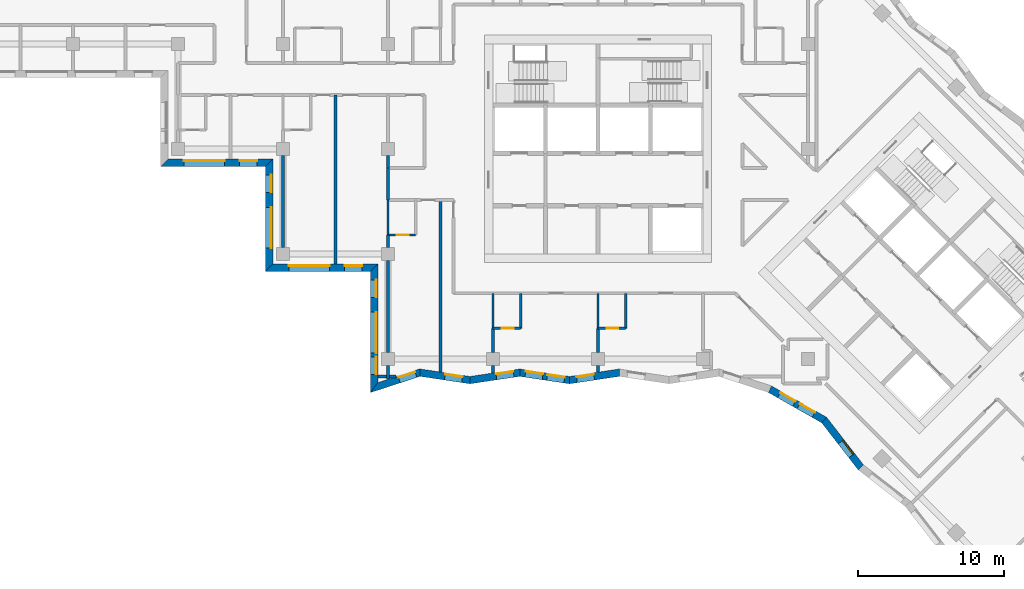
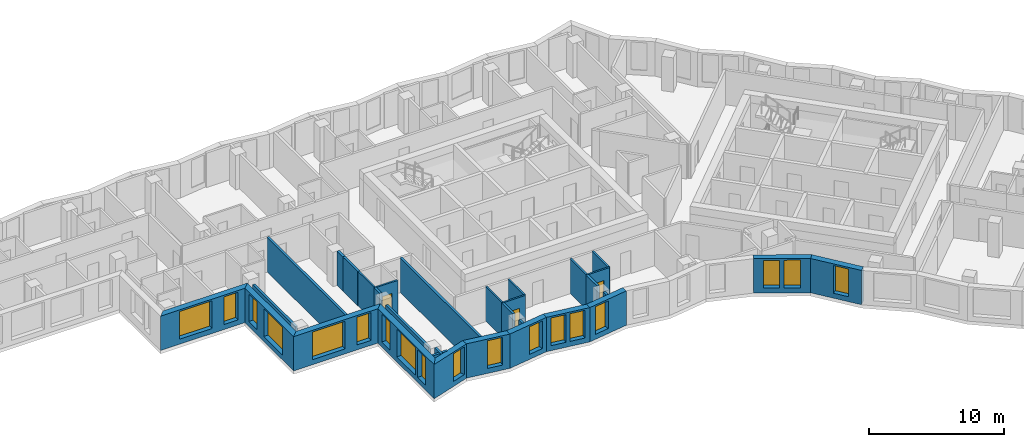
# One storey, part 2 of 12: 32 walls, 18 windows, 3 doors, 21 openings.
"""IFC4 building model written with IfcOpenShell, lengths in metres."""

from ifc_helpers import new_model, si_unit, direction, frame, frame_2d, origin, place, context, subcontext, project, spatial, polyline, rectangle, outline, extrude, material, layer, layer_set, type_object, element, fill, save


model = new_model("IFC4")

# Units and contexts
model_context = context("Model", 3, precision=1e-05, world=origin(), true_north=direction((0.0, 1.0)))
body_context = subcontext(model_context, "Body", "Model", "MODEL_VIEW")
ifc_project = project(units=[si_unit("LENGTHUNIT", "METRE"), si_unit("AREAUNIT", "SQUARE_METRE"), si_unit("VOLUMEUNIT", "CUBIC_METRE"), si_unit("PLANEANGLEUNIT", "RADIAN"), si_unit("MASSUNIT", "GRAM", prefix="KILO")], contexts=[model_context])

# Site, building, storey
site_placement = place(None, origin())
site = spatial("IfcSite", under=ifc_project, at=site_placement, CompositionType="ELEMENT")
building_placement = place(site_placement, origin())
building = spatial("IfcBuilding", under=site, at=building_placement, Name="Windrow Commons", CompositionType="ELEMENT")
storey_placement = place(building_placement, frame((0.0, 0.0, 159.2)))
storey = spatial("IfcBuildingStorey", under=building, at=storey_placement, Name="L43", CompositionType="ELEMENT", Elevation=159.2)

# Wall, openings, windows
ifc_material_1 = material(Name="Brick masonry, red clay brick", Category="masonry")
ifc_layer_1 = layer(ifc_material_1, 0.5)
ifc_layer_set_1 = layer_set([ifc_layer_1], Name="Brick facade wall 500")
wall_type_1 = type_object("IfcWallType", Name="Brick facade wall 500", PredefinedType="SOLIDWALL", material=ifc_layer_set_1)
wall_1_placement = place(storey_placement, frame((35.05, 56.65, 0.0), z_axis=(0.0, 0.0, 1.0), x_axis=(1.0, 0.0, 0.0)))
wall_1 = element("IfcWall", 1, at=wall_1_placement, inside=storey, type_object=wall_type_1, Name="Brick facade wall L43 38", PredefinedType="SOLIDWALL", context=body_context, shape_type="SweptSolid", body=[
    extrude(outline(polyline([(-0.25, -0.25), (6.95, -0.25), (7.45, 0.25), (0.25, 0.25), (-0.25, -0.25)])), origin(), (0.0, 0.0, 1.0), 3.1),
])
opening_1_placement = place(wall_1_placement, frame((1.35, 0.0, 0.45)))
opening_1 = element("IfcOpeningElement", 2, at=opening_1_placement, cuts=wall_1, Name="Opening W1U", PredefinedType="OPENING", context=body_context, shape_type="SweptSolid", body=[
    extrude(rectangle(XDim=2.8, YDim=2.5, at=frame_2d((1.4, 1.25))), frame((0.0, 0.26, 0.0), z_axis=(0.0, -1.0, 0.0), x_axis=(1.0, 0.0, 0.0)), (0.0, 0.0, 1.0), 0.52),
])
opening_2_placement = place(wall_1_placement, frame((5.175, 0.0, 0.45)))
opening_2 = element("IfcOpeningElement", 3, at=opening_2_placement, cuts=wall_1, Name="Opening W7E", PredefinedType="OPENING", context=body_context, shape_type="SweptSolid", body=[
    extrude(rectangle(XDim=1.2, YDim=2.5, at=frame_2d((0.6, 1.25))), frame((0.0, 0.26, 0.0), z_axis=(0.0, -1.0, 0.0), x_axis=(1.0, 0.0, 0.0)), (0.0, 0.0, 1.0), 0.52),
])
ifc_material_2 = material(Name="Clear float glass in anodised aluminium frame", Category="aluminium")
window_type_1 = type_object("IfcWindowType", Name="Window W1U bedroom 2800x2500", PartitioningType="SINGLE_PANEL", PredefinedType="WINDOW", material=ifc_material_2)
window_1_placement = place(opening_1_placement, origin())
window_1 = element("IfcWindow", 4, at=window_1_placement, inside=storey, type_object=window_type_1, Name="Window L43 38.1", OverallHeight=2.5, OverallWidth=2.8, PartitioningType="SINGLE_PANEL", PredefinedType="WINDOW", context=body_context, shape_type="SweptSolid", body=[
    extrude(rectangle(XDim=2.8, YDim=2.5, at=frame_2d((1.4, 1.25))), frame((0.0, 0.18, 0.0), z_axis=(0.0, -1.0, 0.0), x_axis=(1.0, 0.0, 0.0)), (0.0, 0.0, 1.0), 0.06),
])
fill(opening_1, window_1)
ifc_material_3 = material(Name="Clear float glass in anodised aluminium frame", Category="aluminium")
window_type_2 = type_object("IfcWindowType", Name="Window W7 notch 1200x2500", PartitioningType="SINGLE_PANEL", PredefinedType="WINDOW", material=ifc_material_3)
window_2_placement = place(opening_2_placement, origin())
window_2 = element("IfcWindow", 5, at=window_2_placement, inside=storey, type_object=window_type_2, Name="Window L43 38.2", OverallHeight=2.5, OverallWidth=1.2, PartitioningType="SINGLE_PANEL", PredefinedType="WINDOW", context=body_context, shape_type="SweptSolid", body=[
    extrude(rectangle(XDim=1.2, YDim=2.5, at=frame_2d((0.6, 1.25))), frame((0.0, 0.18, 0.0), z_axis=(0.0, -1.0, 0.0), x_axis=(1.0, 0.0, 0.0)), (0.0, 0.0, 1.0), 0.06),
])
fill(opening_2, window_2)

wall_2_placement = place(storey_placement, frame((42.25, 56.65, 0.0), z_axis=(0.0, 0.0, 1.0), x_axis=(0.0, -1.0, 0.0)))
wall_2 = element("IfcWall", 6, at=wall_2_placement, inside=storey, type_object=wall_type_1, Name="Brick facade wall L43 39", PredefinedType="SOLIDWALL", context=body_context, shape_type="SweptSolid", body=[
    extrude(outline(polyline([(0.25, -0.25), (7.45, -0.25), (6.95, 0.25), (-0.25, 0.25), (0.25, -0.25)])), origin(), (0.0, 0.0, 1.0), 3.1),
])
opening_3_placement = place(wall_2_placement, frame((3.05, 0.0, 0.45)))
opening_3 = element("IfcOpeningElement", 7, at=opening_3_placement, cuts=wall_2, Name="Opening W1U", PredefinedType="OPENING", context=body_context, shape_type="SweptSolid", body=[
    extrude(rectangle(XDim=2.8, YDim=2.5, at=frame_2d((1.4, 1.25))), frame((0.0, 0.26, 0.0), z_axis=(0.0, -1.0, 0.0), x_axis=(1.0, 0.0, 0.0)), (0.0, 0.0, 1.0), 0.52),
])
opening_4_placement = place(wall_2_placement, frame((0.825, 0.0, 0.45)))
opening_4 = element("IfcOpeningElement", 8, at=opening_4_placement, cuts=wall_2, Name="Opening W7E", PredefinedType="OPENING", context=body_context, shape_type="SweptSolid", body=[
    extrude(rectangle(XDim=1.2, YDim=2.5, at=frame_2d((0.6, 1.25))), frame((0.0, 0.26, 0.0), z_axis=(0.0, -1.0, 0.0), x_axis=(1.0, 0.0, 0.0)), (0.0, 0.0, 1.0), 0.52),
])
window_3_placement = place(opening_3_placement, origin())
window_3 = element("IfcWindow", 9, at=window_3_placement, inside=storey, type_object=window_type_1, Name="Window L43 39.1", OverallHeight=2.5, OverallWidth=2.8, PartitioningType="SINGLE_PANEL", PredefinedType="WINDOW", context=body_context, shape_type="SweptSolid", body=[
    extrude(rectangle(XDim=2.8, YDim=2.5, at=frame_2d((1.4, 1.25))), frame((0.0, 0.18, 0.0), z_axis=(0.0, -1.0, 0.0), x_axis=(1.0, 0.0, 0.0)), (0.0, 0.0, 1.0), 0.06),
])
fill(opening_3, window_3)
window_4_placement = place(opening_4_placement, origin())
window_4 = element("IfcWindow", 10, at=window_4_placement, inside=storey, type_object=window_type_2, Name="Window L43 39.2", OverallHeight=2.5, OverallWidth=1.2, PartitioningType="SINGLE_PANEL", PredefinedType="WINDOW", context=body_context, shape_type="SweptSolid", body=[
    extrude(rectangle(XDim=1.2, YDim=2.5, at=frame_2d((0.6, 1.25))), frame((0.0, 0.18, 0.0), z_axis=(0.0, -1.0, 0.0), x_axis=(1.0, 0.0, 0.0)), (0.0, 0.0, 1.0), 0.06),
])
fill(opening_4, window_4)

wall_3_placement = place(storey_placement, frame((42.25, 49.45, 0.0), z_axis=(0.0, 0.0, 1.0), x_axis=(1.0, 0.0, 0.0)))
wall_3 = element("IfcWall", 11, at=wall_3_placement, inside=storey, type_object=wall_type_1, Name="Brick facade wall L43 40", PredefinedType="SOLIDWALL", context=body_context, shape_type="SweptSolid", body=[
    extrude(outline(polyline([(-0.25, -0.25), (6.95, -0.25), (7.45, 0.25), (0.25, 0.25), (-0.25, -0.25)])), origin(), (0.0, 0.0, 1.0), 3.1),
])
opening_5_placement = place(wall_3_placement, frame((1.35, 0.0, 0.45)))
opening_5 = element("IfcOpeningElement", 12, at=opening_5_placement, cuts=wall_3, Name="Opening W1U", PredefinedType="OPENING", context=body_context, shape_type="SweptSolid", body=[
    extrude(rectangle(XDim=2.8, YDim=2.5, at=frame_2d((1.4, 1.25))), frame((0.0, 0.26, 0.0), z_axis=(0.0, -1.0, 0.0), x_axis=(1.0, 0.0, 0.0)), (0.0, 0.0, 1.0), 0.52),
])
opening_6_placement = place(wall_3_placement, frame((5.175, 0.0, 0.45)))
opening_6 = element("IfcOpeningElement", 13, at=opening_6_placement, cuts=wall_3, Name="Opening W7E", PredefinedType="OPENING", context=body_context, shape_type="SweptSolid", body=[
    extrude(rectangle(XDim=1.2, YDim=2.5, at=frame_2d((0.6, 1.25))), frame((0.0, 0.26, 0.0), z_axis=(0.0, -1.0, 0.0), x_axis=(1.0, 0.0, 0.0)), (0.0, 0.0, 1.0), 0.52),
])
window_5_placement = place(opening_5_placement, origin())
window_5 = element("IfcWindow", 14, at=window_5_placement, inside=storey, type_object=window_type_1, Name="Window L43 40.1", OverallHeight=2.5, OverallWidth=2.8, PartitioningType="SINGLE_PANEL", PredefinedType="WINDOW", context=body_context, shape_type="SweptSolid", body=[
    extrude(rectangle(XDim=2.8, YDim=2.5, at=frame_2d((1.4, 1.25))), frame((0.0, 0.18, 0.0), z_axis=(0.0, -1.0, 0.0), x_axis=(1.0, 0.0, 0.0)), (0.0, 0.0, 1.0), 0.06),
])
fill(opening_5, window_5)
window_6_placement = place(opening_6_placement, origin())
window_6 = element("IfcWindow", 15, at=window_6_placement, inside=storey, type_object=window_type_2, Name="Window L43 40.2", OverallHeight=2.5, OverallWidth=1.2, PartitioningType="SINGLE_PANEL", PredefinedType="WINDOW", context=body_context, shape_type="SweptSolid", body=[
    extrude(rectangle(XDim=1.2, YDim=2.5, at=frame_2d((0.6, 1.25))), frame((0.0, 0.18, 0.0), z_axis=(0.0, -1.0, 0.0), x_axis=(1.0, 0.0, 0.0)), (0.0, 0.0, 1.0), 0.06),
])
fill(opening_6, window_6)

wall_4_placement = place(storey_placement, frame((49.45, 49.45, 0.0), z_axis=(0.0, 0.0, 1.0), x_axis=(0.0, -1.0, 0.0)))
wall_4 = element("IfcWall", 16, at=wall_4_placement, inside=storey, type_object=wall_type_1, Name="Brick facade wall L43 41", PredefinedType="SOLIDWALL", context=body_context, shape_type="SweptSolid", body=[
    extrude(outline(polyline([(0.25, -0.25), (8.562, -0.25), (7.8732, 0.25), (-0.25, 0.25), (0.25, -0.25)])), origin(), (0.0, 0.0, 1.0), 3.1),
])
opening_7_placement = place(wall_4_placement, frame((3.05, 0.0, 0.45)))
opening_7 = element("IfcOpeningElement", 17, at=opening_7_placement, cuts=wall_4, Name="Opening W1U", PredefinedType="OPENING", context=body_context, shape_type="SweptSolid", body=[
    extrude(rectangle(XDim=2.8, YDim=2.5, at=frame_2d((1.4, 1.25))), frame((0.0, 0.26, 0.0), z_axis=(0.0, -1.0, 0.0), x_axis=(1.0, 0.0, 0.0)), (0.0, 0.0, 1.0), 0.52),
])
opening_8_placement = place(wall_4_placement, frame((0.825, 0.0, 0.45)))
opening_8 = element("IfcOpeningElement", 18, at=opening_8_placement, cuts=wall_4, Name="Opening W7E", PredefinedType="OPENING", context=body_context, shape_type="SweptSolid", body=[
    extrude(rectangle(XDim=1.2, YDim=2.5, at=frame_2d((0.6, 1.25))), frame((0.0, 0.26, 0.0), z_axis=(0.0, -1.0, 0.0), x_axis=(1.0, 0.0, 0.0)), (0.0, 0.0, 1.0), 0.52),
])
opening_9_placement = place(wall_4_placement, frame((6.1116, 0.0, 0.45)))
opening_9 = element("IfcOpeningElement", 19, at=opening_9_placement, cuts=wall_4, Name="Opening W7E", PredefinedType="OPENING", context=body_context, shape_type="SweptSolid", body=[
    extrude(rectangle(XDim=1.2, YDim=2.5, at=frame_2d((0.6, 1.25))), frame((0.0, 0.26, 0.0), z_axis=(0.0, -1.0, 0.0), x_axis=(1.0, 0.0, 0.0)), (0.0, 0.0, 1.0), 0.52),
])
window_7_placement = place(opening_7_placement, origin())
window_7 = element("IfcWindow", 20, at=window_7_placement, inside=storey, type_object=window_type_1, Name="Window L43 41.1", OverallHeight=2.5, OverallWidth=2.8, PartitioningType="SINGLE_PANEL", PredefinedType="WINDOW", context=body_context, shape_type="SweptSolid", body=[
    extrude(rectangle(XDim=2.8, YDim=2.5, at=frame_2d((1.4, 1.25))), frame((0.0, 0.18, 0.0), z_axis=(0.0, -1.0, 0.0), x_axis=(1.0, 0.0, 0.0)), (0.0, 0.0, 1.0), 0.06),
])
fill(opening_7, window_7)
window_8_placement = place(opening_8_placement, origin())
window_8 = element("IfcWindow", 21, at=window_8_placement, inside=storey, type_object=window_type_2, Name="Window L43 41.2", OverallHeight=2.5, OverallWidth=1.2, PartitioningType="SINGLE_PANEL", PredefinedType="WINDOW", context=body_context, shape_type="SweptSolid", body=[
    extrude(rectangle(XDim=1.2, YDim=2.5, at=frame_2d((0.6, 1.25))), frame((0.0, 0.18, 0.0), z_axis=(0.0, -1.0, 0.0), x_axis=(1.0, 0.0, 0.0)), (0.0, 0.0, 1.0), 0.06),
])
fill(opening_8, window_8)
window_9_placement = place(opening_9_placement, origin())
window_9 = element("IfcWindow", 22, at=window_9_placement, inside=storey, type_object=window_type_2, Name="Window L43 41.3", OverallHeight=2.5, OverallWidth=1.2, PartitioningType="SINGLE_PANEL", PredefinedType="WINDOW", context=body_context, shape_type="SweptSolid", body=[
    extrude(rectangle(XDim=1.2, YDim=2.5, at=frame_2d((0.6, 1.25))), frame((0.0, 0.18, 0.0), z_axis=(0.0, -1.0, 0.0), x_axis=(1.0, 0.0, 0.0)), (0.0, 0.0, 1.0), 0.06),
])
fill(opening_9, window_9)

# Wall, opening, window
wall_5_placement = place(storey_placement, frame((49.45, 41.2324, 0.0), z_axis=(0.0, 0.0, 1.0), x_axis=(0.9507752204, 0.3098813971, 0.0)))
wall_5 = element("IfcWall", 23, at=wall_5_placement, inside=storey, type_object=wall_type_1, Name="Brick facade wall L43 42", PredefinedType="SOLIDWALL", context=body_context, shape_type="SweptSolid", body=[
    extrude(outline(polyline([(-0.3444, -0.25), (3.2441, -0.25), (3.3623, 0.25), (0.3444, 0.25), (-0.3444, -0.25)])), origin(), (0.0, 0.0, 1.0), 3.1),
])
opening_10_placement = place(wall_5_placement, frame((1.8012, 0.0, 0.45)))
opening_10 = element("IfcOpeningElement", 24, at=opening_10_placement, cuts=wall_5, Name="Opening W7E", PredefinedType="OPENING", context=body_context, shape_type="SweptSolid", body=[
    extrude(rectangle(XDim=1.2, YDim=2.5, at=frame_2d((0.6, 1.25))), frame((0.0, 0.26, 0.0), z_axis=(0.0, -1.0, 0.0), x_axis=(1.0, 0.0, 0.0)), (0.0, 0.0, 1.0), 0.52),
])
window_10_placement = place(opening_10_placement, origin())
window_10 = element("IfcWindow", 25, at=window_10_placement, inside=storey, type_object=window_type_2, Name="Window L43 42.1", OverallHeight=2.5, OverallWidth=1.2, PartitioningType="SINGLE_PANEL", PredefinedType="WINDOW", context=body_context, shape_type="SweptSolid", body=[
    extrude(rectangle(XDim=1.2, YDim=2.5, at=frame_2d((0.6, 1.25))), frame((0.0, 0.18, 0.0), z_axis=(0.0, -1.0, 0.0), x_axis=(1.0, 0.0, 0.0)), (0.0, 0.0, 1.0), 0.06),
])
fill(opening_10, window_10)

wall_6_placement = place(storey_placement, frame((52.5906, 42.256, 0.0), z_axis=(0.0, 0.0, 1.0), x_axis=(0.9889270545, -0.1484024288, 0.0)))
wall_6 = element("IfcWall", 26, at=wall_6_placement, inside=storey, type_object=wall_type_1, Name="Brick facade wall L43 43", PredefinedType="SOLIDWALL", context=body_context, shape_type="SweptSolid", body=[
    extrude(outline(polyline([(0.0591, -0.25), (3.5092, -0.25), (3.4341, 0.25), (-0.0591, 0.25), (0.0591, -0.25)])), origin(), (0.0, 0.0, 1.0), 3.1),
])
opening_11_placement = place(wall_6_placement, frame((1.7297, 0.0, 0.45)))
opening_11 = element("IfcOpeningElement", 27, at=opening_11_placement, cuts=wall_6, Name="Opening W7E", PredefinedType="OPENING", context=body_context, shape_type="SweptSolid", body=[
    extrude(rectangle(XDim=1.2, YDim=2.5, at=frame_2d((0.6, 1.25))), frame((0.0, 0.26, 0.0), z_axis=(0.0, -1.0, 0.0), x_axis=(1.0, 0.0, 0.0)), (0.0, 0.0, 1.0), 0.52),
])
window_11_placement = place(opening_11_placement, origin())
window_11 = element("IfcWindow", 28, at=window_11_placement, inside=storey, type_object=window_type_2, Name="Window L43 43.1", OverallHeight=2.5, OverallWidth=1.2, PartitioningType="SINGLE_PANEL", PredefinedType="WINDOW", context=body_context, shape_type="SweptSolid", body=[
    extrude(rectangle(XDim=1.2, YDim=2.5, at=frame_2d((0.6, 1.25))), frame((0.0, 0.18, 0.0), z_axis=(0.0, -1.0, 0.0), x_axis=(1.0, 0.0, 0.0)), (0.0, 0.0, 1.0), 0.06),
])
fill(opening_11, window_11)

wall_7_placement = place(storey_placement, frame((56.0238, 41.7408, 0.0), z_axis=(0.0, 0.0, 1.0), x_axis=(0.9889272091, 0.1484013984, 0.0)))
wall_7 = element("IfcWall", 29, at=wall_7_placement, inside=storey, type_object=wall_type_1, Name="Brick facade wall L43 44", PredefinedType="SOLIDWALL", context=body_context, shape_type="SweptSolid", body=[
    extrude(outline(polyline([(-0.0375, -0.25), (3.4126, -0.25), (3.4876, 0.25), (0.0375, 0.25), (-0.0375, -0.25)])), origin(), (0.0, 0.0, 1.0), 3.1),
])
opening_12_placement = place(wall_7_placement, frame((1.822, 0.0, 0.45)))
opening_12 = element("IfcOpeningElement", 30, at=opening_12_placement, cuts=wall_7, Name="Opening W7E", PredefinedType="OPENING", context=body_context, shape_type="SweptSolid", body=[
    extrude(rectangle(XDim=1.2, YDim=2.5, at=frame_2d((0.6, 1.25))), frame((0.0, 0.26, 0.0), z_axis=(0.0, -1.0, 0.0), x_axis=(1.0, 0.0, 0.0)), (0.0, 0.0, 1.0), 0.52),
])
window_12_placement = place(opening_12_placement, origin())
window_12 = element("IfcWindow", 31, at=window_12_placement, inside=storey, type_object=window_type_2, Name="Window L43 44.1", OverallHeight=2.5, OverallWidth=1.2, PartitioningType="SINGLE_PANEL", PredefinedType="WINDOW", context=body_context, shape_type="SweptSolid", body=[
    extrude(rectangle(XDim=1.2, YDim=2.5, at=frame_2d((0.6, 1.25))), frame((0.0, 0.18, 0.0), z_axis=(0.0, -1.0, 0.0), x_axis=(1.0, 0.0, 0.0)), (0.0, 0.0, 1.0), 0.06),
])
fill(opening_12, window_12)

# Wall, openings, windows
wall_8_placement = place(storey_placement, frame((59.4357, 42.2528, 0.0), z_axis=(0.0, 0.0, 1.0), x_axis=(0.9889272091, -0.1484013984, 0.0)))
wall_8 = element("IfcWall", 32, at=wall_8_placement, inside=storey, type_object=wall_type_1, Name="Brick facade wall L43 45", PredefinedType="SOLIDWALL", context=body_context, shape_type="SweptSolid", body=[
    extrude(outline(polyline([(0.0375, -0.25), (3.4876, -0.25), (3.4126, 0.25), (-0.0375, 0.25), (0.0375, -0.25)])), origin(), (0.0, 0.0, 1.0), 3.1),
])
opening_13_placement = place(wall_8_placement, frame((0.392, 0.0, 0.45)))
opening_13 = element("IfcOpeningElement", 33, at=opening_13_placement, cuts=wall_8, Name="Opening W7E", PredefinedType="OPENING", context=body_context, shape_type="SweptSolid", body=[
    extrude(rectangle(XDim=1.2, YDim=2.5, at=frame_2d((0.6, 1.25))), frame((0.0, 0.26, 0.0), z_axis=(0.0, -1.0, 0.0), x_axis=(1.0, 0.0, 0.0)), (0.0, 0.0, 1.0), 0.52),
])
opening_14_placement = place(wall_8_placement, frame((1.8983, 0.0, 0.45)))
opening_14 = element("IfcOpeningElement", 34, at=opening_14_placement, cuts=wall_8, Name="Opening W7E", PredefinedType="OPENING", context=body_context, shape_type="SweptSolid", body=[
    extrude(rectangle(XDim=1.2, YDim=2.5, at=frame_2d((0.6, 1.25))), frame((0.0, 0.26, 0.0), z_axis=(0.0, -1.0, 0.0), x_axis=(1.0, 0.0, 0.0)), (0.0, 0.0, 1.0), 0.52),
])
window_13_placement = place(opening_13_placement, origin())
window_13 = element("IfcWindow", 35, at=window_13_placement, inside=storey, type_object=window_type_2, Name="Window L43 45.1", OverallHeight=2.5, OverallWidth=1.2, PartitioningType="SINGLE_PANEL", PredefinedType="WINDOW", context=body_context, shape_type="SweptSolid", body=[
    extrude(rectangle(XDim=1.2, YDim=2.5, at=frame_2d((0.6, 1.25))), frame((0.0, 0.18, 0.0), z_axis=(0.0, -1.0, 0.0), x_axis=(1.0, 0.0, 0.0)), (0.0, 0.0, 1.0), 0.06),
])
fill(opening_13, window_13)
window_14_placement = place(opening_14_placement, origin())
window_14 = element("IfcWindow", 36, at=window_14_placement, inside=storey, type_object=window_type_2, Name="Window L43 45.2", OverallHeight=2.5, OverallWidth=1.2, PartitioningType="SINGLE_PANEL", PredefinedType="WINDOW", context=body_context, shape_type="SweptSolid", body=[
    extrude(rectangle(XDim=1.2, YDim=2.5, at=frame_2d((0.6, 1.25))), frame((0.0, 0.18, 0.0), z_axis=(0.0, -1.0, 0.0), x_axis=(1.0, 0.0, 0.0)), (0.0, 0.0, 1.0), 0.06),
])
fill(opening_14, window_14)

# Wall, opening, window
wall_9_placement = place(storey_placement, frame((62.8476, 41.7408, 0.0), z_axis=(0.0, 0.0, 1.0), x_axis=(0.9889278474, 0.1483971447, 0.0)))
wall_9 = element("IfcWall", 37, at=wall_9_placement, inside=storey, type_object=wall_type_1, Name="Brick facade wall L43 46", PredefinedType="SOLIDWALL", context=body_context, shape_type="SweptSolid", body=[
    extrude(outline(polyline([(-0.0375, -0.25), (3.4126, -0.25), (3.4876, 0.25), (0.0375, 0.25), (-0.0375, -0.25)])), origin(), (0.0, 0.0, 1.0), 3.1),
])
opening_15_placement = place(wall_9_placement, frame((0.5059, 0.0, 0.45)))
opening_15 = element("IfcOpeningElement", 38, at=opening_15_placement, cuts=wall_9, Name="Opening W7E", PredefinedType="OPENING", context=body_context, shape_type="SweptSolid", body=[
    extrude(rectangle(XDim=1.2, YDim=2.5, at=frame_2d((0.6, 1.25))), frame((0.0, 0.26, 0.0), z_axis=(0.0, -1.0, 0.0), x_axis=(1.0, 0.0, 0.0)), (0.0, 0.0, 1.0), 0.52),
])
window_15_placement = place(opening_15_placement, origin())
window_15 = element("IfcWindow", 39, at=window_15_placement, inside=storey, type_object=window_type_2, Name="Window L43 46.1", OverallHeight=2.5, OverallWidth=1.2, PartitioningType="SINGLE_PANEL", PredefinedType="WINDOW", context=body_context, shape_type="SweptSolid", body=[
    extrude(rectangle(XDim=1.2, YDim=2.5, at=frame_2d((0.6, 1.25))), frame((0.0, 0.18, 0.0), z_axis=(0.0, -1.0, 0.0), x_axis=(1.0, 0.0, 0.0)), (0.0, 0.0, 1.0), 0.06),
])
fill(opening_15, window_15)

# Wall, openings, windows
wall_10_placement = place(storey_placement, frame((76.5969, 41.1178, 0.0), z_axis=(0.0, 0.0, 1.0), x_axis=(0.8690276155, -0.4947635835, 0.0)))
wall_10 = element("IfcWall", 40, at=wall_10_placement, inside=storey, type_object=wall_type_1, Name="Brick facade wall L43 50", PredefinedType="SOLIDWALL", context=body_context, shape_type="SweptSolid", body=[
    extrude(outline(polyline([(0.0254, -0.25), (4.2274, -0.25), (4.327, 0.25), (-0.0254, 0.25), (0.0254, -0.25)])), origin(), (0.0, 0.0, 1.0), 3.1),
])
opening_16_placement = place(wall_10_placement, frame((0.7315, 0.0, 0.45)))
opening_16 = element("IfcOpeningElement", 41, at=opening_16_placement, cuts=wall_10, Name="Opening W7E", PredefinedType="OPENING", context=body_context, shape_type="SweptSolid", body=[
    extrude(rectangle(XDim=1.2, YDim=2.5, at=frame_2d((0.6, 1.25))), frame((0.0, 0.26, 0.0), z_axis=(0.0, -1.0, 0.0), x_axis=(1.0, 0.0, 0.0)), (0.0, 0.0, 1.0), 0.52),
])
opening_17_placement = place(wall_10_placement, frame((2.2701, 0.0, 0.45)))
opening_17 = element("IfcOpeningElement", 42, at=opening_17_placement, cuts=wall_10, Name="Opening W7E", PredefinedType="OPENING", context=body_context, shape_type="SweptSolid", body=[
    extrude(rectangle(XDim=1.2, YDim=2.5, at=frame_2d((0.6, 1.25))), frame((0.0, 0.26, 0.0), z_axis=(0.0, -1.0, 0.0), x_axis=(1.0, 0.0, 0.0)), (0.0, 0.0, 1.0), 0.52),
])
window_16_placement = place(opening_16_placement, origin())
window_16 = element("IfcWindow", 43, at=window_16_placement, inside=storey, type_object=window_type_2, Name="Window L43 50.1", OverallHeight=2.5, OverallWidth=1.2, PartitioningType="SINGLE_PANEL", PredefinedType="WINDOW", context=body_context, shape_type="SweptSolid", body=[
    extrude(rectangle(XDim=1.2, YDim=2.5, at=frame_2d((0.6, 1.25))), frame((0.0, 0.18, 0.0), z_axis=(0.0, -1.0, 0.0), x_axis=(1.0, 0.0, 0.0)), (0.0, 0.0, 1.0), 0.06),
])
fill(opening_16, window_16)
window_17_placement = place(opening_17_placement, origin())
window_17 = element("IfcWindow", 44, at=window_17_placement, inside=storey, type_object=window_type_2, Name="Window L43 50.2", OverallHeight=2.5, OverallWidth=1.2, PartitioningType="SINGLE_PANEL", PredefinedType="WINDOW", context=body_context, shape_type="SweptSolid", body=[
    extrude(rectangle(XDim=1.2, YDim=2.5, at=frame_2d((0.6, 1.25))), frame((0.0, 0.18, 0.0), z_axis=(0.0, -1.0, 0.0), x_axis=(1.0, 0.0, 0.0)), (0.0, 0.0, 1.0), 0.06),
])
fill(opening_17, window_17)

# Wall, opening, window
wall_11_placement = place(storey_placement, frame((80.3139, 39.0016, 0.0), z_axis=(0.0, 0.0, 1.0), x_axis=(0.6128921644, -0.7901665614, 0.0)))
wall_11 = element("IfcWall", 45, at=wall_11_placement, inside=storey, type_object=wall_type_1, Name="Brick facade wall L43 51", PredefinedType="SOLIDWALL", context=body_context, shape_type="SweptSolid", body=[
    extrude(outline(polyline([(0.0498, -0.25), (4.1342, -0.25), (4.071, 0.25), (-0.0498, 0.25), (0.0498, -0.25)])), origin(), (0.0, 0.0, 1.0), 3.1),
])
opening_18_placement = place(wall_11_placement, frame((1.8793, 0.0, 0.45)))
opening_18 = element("IfcOpeningElement", 46, at=opening_18_placement, cuts=wall_11, Name="Opening W7E", PredefinedType="OPENING", context=body_context, shape_type="SweptSolid", body=[
    extrude(rectangle(XDim=1.2, YDim=2.5, at=frame_2d((0.6, 1.25))), frame((0.0, 0.26, 0.0), z_axis=(0.0, -1.0, 0.0), x_axis=(1.0, 0.0, 0.0)), (0.0, 0.0, 1.0), 0.52),
])
window_18_placement = place(opening_18_placement, origin())
window_18 = element("IfcWindow", 47, at=window_18_placement, inside=storey, type_object=window_type_2, Name="Window L43 51.1", OverallHeight=2.5, OverallWidth=1.2, PartitioningType="SINGLE_PANEL", PredefinedType="WINDOW", context=body_context, shape_type="SweptSolid", body=[
    extrude(rectangle(XDim=1.2, YDim=2.5, at=frame_2d((0.6, 1.25))), frame((0.0, 0.18, 0.0), z_axis=(0.0, -1.0, 0.0), x_axis=(1.0, 0.0, 0.0)), (0.0, 0.0, 1.0), 0.06),
])
fill(opening_18, window_18)

# Walls
ifc_material_4 = material(Name="Blockwork partition", Category="masonry")
ifc_layer_2 = layer(ifc_material_4, 0.2)
ifc_layer_set_2 = layer_set([ifc_layer_2], Name="IW-CORRIDOR-200")
wall_type_2 = type_object("IfcWallType", Name="IW-CORRIDOR-200", PredefinedType="PARTITIONING", material=ifc_layer_set_2)
wall_12_placement = place(storey_placement, frame((50.4, 54.1, 0.0), z_axis=(0.0, 0.0, 1.0), x_axis=(0.0, 1.0, 0.0)))
element("IfcWall", 48, at=wall_12_placement, inside=storey, type_object=wall_type_2, Name="W-L43-W109", PredefinedType="PARTITIONING", context=body_context, shape_type="SweptSolid", body=[
    extrude(rectangle(XDim=2.2, YDim=0.2, at=frame_2d((1.1, 0.0))), origin(), (0.0, 0.0, 1.0), 3.1),
])
ifc_material_5 = material(Name="Blockwork partition", Category="masonry")
ifc_layer_3 = layer(ifc_material_5, 0.15)
ifc_layer_set_3 = layer_set([ifc_layer_3], Name="IW-ENSUITE-150")
wall_type_3 = type_object("IfcWallType", Name="IW-ENSUITE-150", PredefinedType="PARTITIONING", material=ifc_layer_set_3)
for number, where, z_axis, x_axis, name in (
    (49, (59.5, 45.3, 0.0), (0.0, 0.0, 1.0), (0.0, 1.0, 0.0), "W-L43-W083"),
    (50, (57.6, 45.3, 0.0), (0.0, 0.0, 1.0), (0.0, 1.0, 0.0), "W-L43-W085"),
    (51, (66.7, 45.3, 0.0), (0.0, 0.0, 1.0), (0.0, 1.0, 0.0), "W-L43-W087"),
    (52, (64.8, 45.3, 0.0), (0.0, 0.0, 1.0), (0.0, 1.0, 0.0), "W-L43-W089"),
    (53, (50.4, 51.7, 0.0), (0.0, 0.0, 1.0), (0.0, 1.0, 0.0), "W-L43-W098"),
):
    element("IfcWall", number, at=place(storey_placement, frame(where, z_axis=z_axis, x_axis=x_axis)), inside=storey, type_object=wall_type_3, Name=name, PredefinedType="PARTITIONING", context=body_context, shape_type="SweptSolid", body=[
        extrude(rectangle(XDim=2.4, YDim=0.15, at=frame_2d((1.2, 0.0))), origin(), (0.0, 0.0, 1.0), 3.1),
    ])

# Wall, opening, door
wall_13_placement = place(storey_placement, frame((64.8, 45.3, 0.0), z_axis=(0.0, 0.0, 1.0), x_axis=(1.0, 0.0, 0.0)))
wall_13 = element("IfcWall", 54, at=wall_13_placement, inside=storey, type_object=wall_type_3, Name="W-L43-W115", PredefinedType="PARTITIONING", context=body_context, shape_type="SweptSolid", body=[
    extrude(rectangle(XDim=1.9, YDim=0.15, at=frame_2d((0.95, 0.0))), origin(), (0.0, 0.0, 1.0), 3.1),
])
opening_19_placement = place(wall_13_placement, frame((0.6069, 0.0, 0.0)))
opening_19 = element("IfcOpeningElement", 55, at=opening_19_placement, cuts=wall_13, Name="Opening D208N", PredefinedType="OPENING", context=body_context, shape_type="SweptSolid", body=[
    extrude(rectangle(XDim=0.8, YDim=2.1, at=frame_2d((0.4, 1.05))), frame((0.0, 0.085, 0.0), z_axis=(0.0, -1.0, 0.0), x_axis=(1.0, 0.0, 0.0)), (0.0, 0.0, 1.0), 0.17),
])
ifc_material_6 = material(Name="Timber door leaf", Category="wood")
door_type = type_object("IfcDoorType", Name="DT-ENSUITE-800", OperationType="SINGLE_SWING_LEFT", PredefinedType="DOOR", material=ifc_material_6)
door_1_placement = place(opening_19_placement, origin())
door_1 = element("IfcDoor", 56, at=door_1_placement, inside=storey, type_object=door_type, Name="D-L43-D034", OperationType="SINGLE_SWING_RIGHT", OverallHeight=2.1, OverallWidth=0.8, PredefinedType="DOOR", context=body_context, shape_type="SweptSolid", body=[
    extrude(rectangle(XDim=0.8, YDim=2.1, at=frame_2d((0.4, 1.05))), frame((0.0, 0.025, 0.0), z_axis=(0.0, -1.0, 0.0), x_axis=(1.0, 0.0, 0.0)), (0.0, 0.0, 1.0), 0.05),
])
fill(opening_19, door_1)

wall_14_placement = place(storey_placement, frame((50.4, 51.7, 0.0), z_axis=(0.0, 0.0, 1.0), x_axis=(1.0, 0.0, 0.0)))
wall_14 = element("IfcWall", 57, at=wall_14_placement, inside=storey, type_object=wall_type_3, Name="W-L43-W123", PredefinedType="PARTITIONING", context=body_context, shape_type="SweptSolid", body=[
    extrude(rectangle(XDim=1.9, YDim=0.15, at=frame_2d((0.95, 0.0))), origin(), (0.0, 0.0, 1.0), 3.1),
])
opening_20_placement = place(wall_14_placement, frame((0.6069, 0.0, 0.0)))
opening_20 = element("IfcOpeningElement", 58, at=opening_20_placement, cuts=wall_14, Name="Opening D208N", PredefinedType="OPENING", context=body_context, shape_type="SweptSolid", body=[
    extrude(rectangle(XDim=0.8, YDim=2.1, at=frame_2d((0.4, 1.05))), frame((0.0, 0.085, 0.0), z_axis=(0.0, -1.0, 0.0), x_axis=(1.0, 0.0, 0.0)), (0.0, 0.0, 1.0), 0.17),
])
door_2_placement = place(opening_20_placement, origin())
door_2 = element("IfcDoor", 59, at=door_2_placement, inside=storey, type_object=door_type, Name="D-L43-D027", OperationType="SINGLE_SWING_RIGHT", OverallHeight=2.1, OverallWidth=0.8, PredefinedType="DOOR", context=body_context, shape_type="SweptSolid", body=[
    extrude(rectangle(XDim=0.8, YDim=2.1, at=frame_2d((0.4, 1.05))), frame((0.0, 0.025, 0.0), z_axis=(0.0, -1.0, 0.0), x_axis=(1.0, 0.0, 0.0)), (0.0, 0.0, 1.0), 0.05),
])
fill(opening_20, door_2)

wall_15_placement = place(storey_placement, frame((57.6, 45.3, 0.0), z_axis=(0.0, 0.0, 1.0), x_axis=(1.0, 0.0, 0.0)))
wall_15 = element("IfcWall", 60, at=wall_15_placement, inside=storey, type_object=wall_type_3, Name="W-L43-W124", PredefinedType="PARTITIONING", context=body_context, shape_type="SweptSolid", body=[
    extrude(rectangle(XDim=1.9, YDim=0.15, at=frame_2d((0.95, 0.0))), origin(), (0.0, 0.0, 1.0), 3.1),
])
opening_21_placement = place(wall_15_placement, frame((0.6069, 0.0, 0.0)))
opening_21 = element("IfcOpeningElement", 61, at=opening_21_placement, cuts=wall_15, Name="Opening D208N", PredefinedType="OPENING", context=body_context, shape_type="SweptSolid", body=[
    extrude(rectangle(XDim=0.8, YDim=2.1, at=frame_2d((0.4, 1.05))), frame((0.0, 0.085, 0.0), z_axis=(0.0, -1.0, 0.0), x_axis=(1.0, 0.0, 0.0)), (0.0, 0.0, 1.0), 0.17),
])
door_3_placement = place(opening_21_placement, origin())
door_3 = element("IfcDoor", 62, at=door_3_placement, inside=storey, type_object=door_type, Name="D-L43-D032", OperationType="SINGLE_SWING_RIGHT", OverallHeight=2.1, OverallWidth=0.8, PredefinedType="DOOR", context=body_context, shape_type="SweptSolid", body=[
    extrude(rectangle(XDim=0.8, YDim=2.1, at=frame_2d((0.4, 1.05))), frame((0.0, 0.025, 0.0), z_axis=(0.0, -1.0, 0.0), x_axis=(1.0, 0.0, 0.0)), (0.0, 0.0, 1.0), 0.05),
])
fill(opening_21, door_3)

# Walls
ifc_material_7 = material(Name="Blockwork partition", Category="masonry")
ifc_layer_4 = layer(ifc_material_7, 0.2)
ifc_layer_set_4 = layer_set([ifc_layer_4], Name="IW-PARTY-200")
wall_type_4 = type_object("IfcWallType", Name="IW-PARTY-200", PredefinedType="PARTITIONING", material=ifc_layer_set_4)
wall_16_placement = place(storey_placement, frame((54.0, 42.2973, 0.0), z_axis=(0.0, 0.0, 1.0), x_axis=(0.0, 1.0, 0.0)))
element("IfcWall", 63, at=wall_16_placement, inside=storey, type_object=wall_type_4, Name="W-L43-W008", PredefinedType="PARTITIONING", context=body_context, shape_type="SweptSolid", body=[
    extrude(rectangle(XDim=11.8027, YDim=0.2, at=frame_2d((5.9013, 0.0))), origin(), (0.0, 0.0, 1.0), 3.1),
])
wall_17_placement = place(storey_placement, frame((46.8, 49.7, 0.0), z_axis=(0.0, 0.0, 1.0), x_axis=(0.0, 1.0, 0.0)))
element("IfcWall", 64, at=wall_17_placement, inside=storey, type_object=wall_type_4, Name="W-L43-W010", PredefinedType="PARTITIONING", context=body_context, shape_type="SweptSolid", body=[
    extrude(rectangle(XDim=11.6, YDim=0.2, at=frame_2d((5.8, 0.0))), origin(), (0.0, 0.0, 1.0), 3.1),
])
for number, where, z_axis, x_axis, name in (
    (65, (50.4, 43.65, 0.0), (0.0, 0.0, 1.0), (0.0, 1.0, 0.0), "W-L43-W021"),
    (66, (43.2, 50.85, 0.0), (0.0, 0.0, 1.0), (0.0, 1.0, 0.0), "W-L43-W022"),
):
    element("IfcWall", number, at=place(storey_placement, frame(where, z_axis=z_axis, x_axis=x_axis)), inside=storey, type_object=wall_type_4, Name=name, PredefinedType="PARTITIONING", context=body_context, shape_type="SweptSolid", body=[
        extrude(rectangle(XDim=6.3, YDim=0.2, at=frame_2d((3.15, 0.0))), origin(), (0.0, 0.0, 1.0), 2.6),
    ])
for number, where, z_axis, x_axis, name in (
    (67, (57.6, 43.65, 0.0), (0.0, 0.0, 1.0), (0.0, 1.0, 0.0), "W-L43-W133"),
    (68, (64.8, 43.65, 0.0), (0.0, 0.0, 1.0), (0.0, 1.0, 0.0), "W-L43-W134"),
):
    element("IfcWall", number, at=place(storey_placement, frame(where, z_axis=z_axis, x_axis=x_axis)), inside=storey, type_object=wall_type_4, Name=name, PredefinedType="PARTITIONING", context=body_context, shape_type="SweptSolid", body=[
        extrude(rectangle(XDim=1.65, YDim=0.2, at=frame_2d((0.825, 0.0))), origin(), (0.0, 0.0, 1.0), 3.1),
    ])
wall_18_placement = place(storey_placement, frame((49.7, 42.0, 0.0), z_axis=(0.0, 0.0, 1.0), x_axis=(1.0, 0.0, 0.0)))
element("IfcWall", 69, at=wall_18_placement, inside=storey, type_object=wall_type_4, Name="W-L43-W140", PredefinedType="PARTITIONING", context=body_context, shape_type="SweptSolid", body=[
    extrude(rectangle(XDim=1.2484, YDim=0.2, at=frame_2d((0.6242, 0.0))), origin(), (0.0, 0.0, 1.0), 3.1),
])
for number, where, z_axis, x_axis, name in (
    (70, (50.4, 50.85, 0.0), (0.0, 0.0, 1.0), (0.0, 1.0, 0.0), "W-L43-W144"),
    (71, (50.4, 56.3, 0.0), (0.0, 0.0, 1.0), (0.0, 1.0, 0.0), "W-L43-W145"),
):
    element("IfcWall", number, at=place(storey_placement, frame(where, z_axis=z_axis, x_axis=x_axis)), inside=storey, type_object=wall_type_4, Name=name, PredefinedType="PARTITIONING", context=body_context, shape_type="SweptSolid", body=[
        extrude(rectangle(XDim=0.85, YDim=0.2, at=frame_2d((0.425, 0.0))), origin(), (0.0, 0.0, 1.0), 3.1),
    ])
wall_19_placement = place(storey_placement, frame((50.4, 41.805, 0.0), z_axis=(0.0, 0.0, 1.0), x_axis=(0.0, 1.0, 0.0)))
element("IfcWall", 72, at=wall_19_placement, inside=storey, type_object=wall_type_4, Name="W-L43-W157", PredefinedType="PARTITIONING", context=body_context, shape_type="SweptSolid", body=[
    extrude(rectangle(XDim=0.945, YDim=0.2, at=frame_2d((0.4725, 0.0))), origin(), (0.0, 0.0, 1.0), 3.1),
])
wall_20_placement = place(storey_placement, frame((57.6, 42.2301, 0.0), z_axis=(0.0, 0.0, 1.0), x_axis=(0.0, 1.0, 0.0)))
element("IfcWall", 73, at=wall_20_placement, inside=storey, type_object=wall_type_4, Name="W-L43-W180", PredefinedType="PARTITIONING", context=body_context, shape_type="SweptSolid", body=[
    extrude(rectangle(XDim=0.5199, YDim=0.2, at=frame_2d((0.26, 0.0))), origin(), (0.0, 0.0, 1.0), 3.1),
])
wall_21_placement = place(storey_placement, frame((64.8, 42.2866, 0.0), z_axis=(0.0, 0.0, 1.0), x_axis=(0.0, 1.0, 0.0)))
element("IfcWall", 74, at=wall_21_placement, inside=storey, type_object=wall_type_4, Name="W-L43-W193", PredefinedType="PARTITIONING", context=body_context, shape_type="SweptSolid", body=[
    extrude(rectangle(XDim=0.4634, YDim=0.2, at=frame_2d((0.2317, 0.0))), origin(), (0.0, 0.0, 1.0), 3.1),
])

save(model, "model.ifc")
